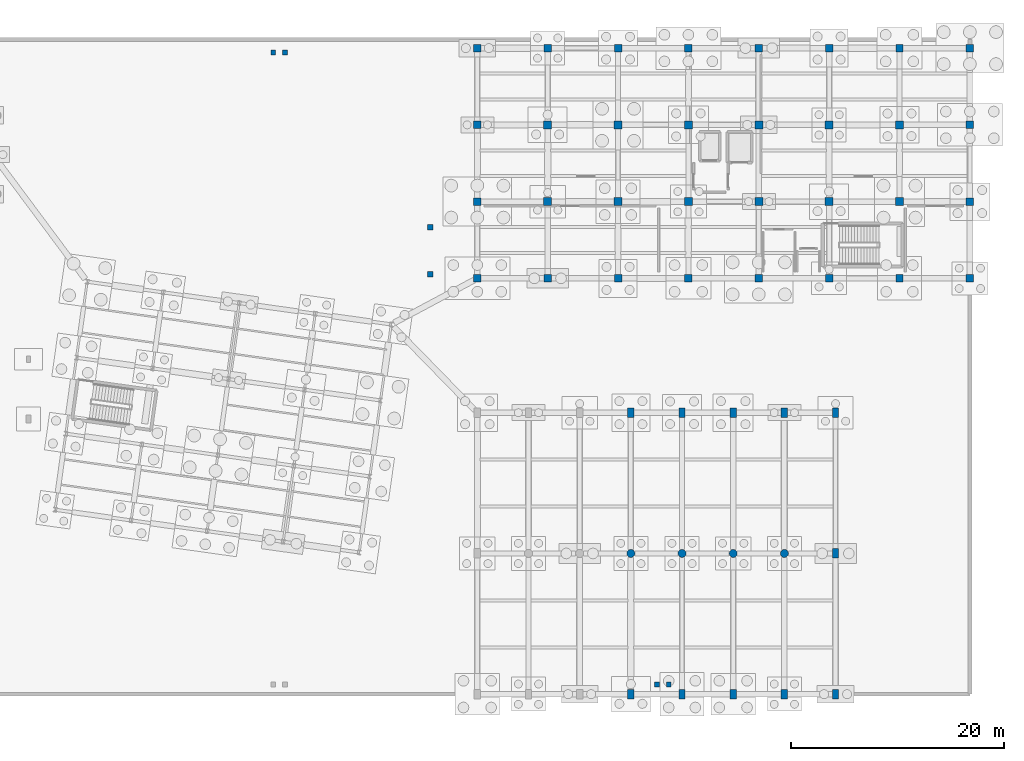
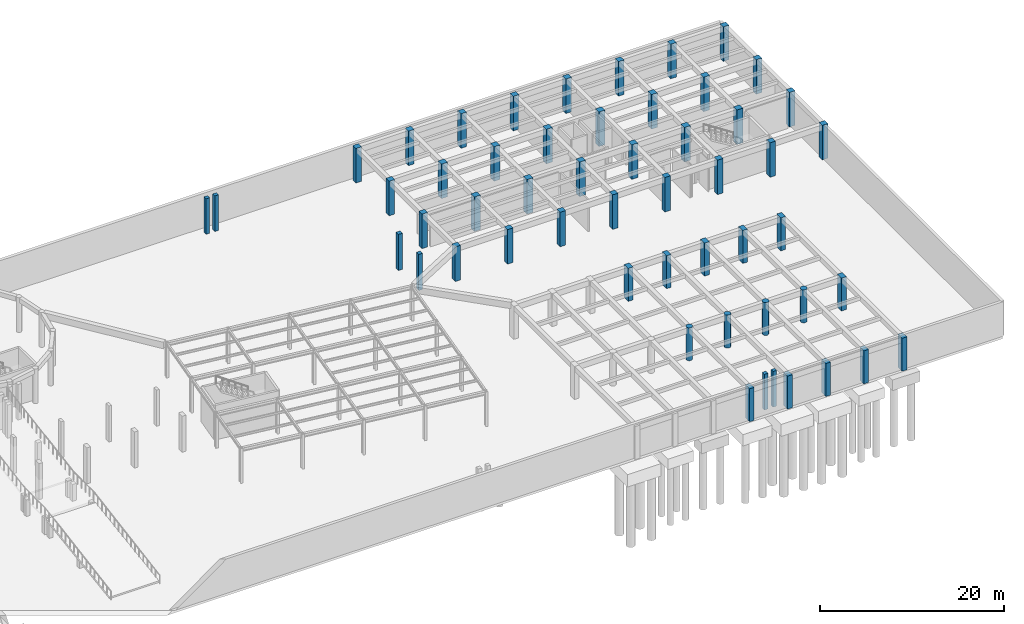
# One storey, part 16 of 34: 53 columns.
"""IFC4 building model written with IfcOpenShell, lengths in metres."""

from ifc_helpers import new_model, si_unit, direction, frame, origin, origin_2d, place, context, subcontext, project, spatial, rectangle, circle, extrude, material, material_profile, profile_set, type_object, element, save


model = new_model("IFC4")

# Units and contexts
model_context = context("Model", 3, precision=1e-05, world=origin(), true_north=direction((0.0, 1.0)))
body_context = subcontext(model_context, "Body", "Model", "MODEL_VIEW")
ifc_project = project(units=[si_unit("LENGTHUNIT", "METRE"), si_unit("AREAUNIT", "SQUARE_METRE"), si_unit("VOLUMEUNIT", "CUBIC_METRE"), si_unit("PLANEANGLEUNIT", "RADIAN"), si_unit("MASSUNIT", "GRAM", prefix="KILO")], contexts=[model_context])

# Site, building, storey
site_placement = place(None, origin())
site = spatial("IfcSite", under=ifc_project, at=site_placement, CompositionType="ELEMENT")
building_placement = place(site_placement, origin())
building = spatial("IfcBuilding", under=site, at=building_placement, Name="Kharisveld Research Institute", CompositionType="ELEMENT")
storey_placement = place(building_placement, frame((0.0, 0.0, -4.800048828125)))
storey = spatial("IfcBuildingStorey", under=building, at=storey_placement, Name="B1", CompositionType="ELEMENT", Elevation=-4.800048828125)

# Columns
ifc_material_1 = material(Name="Concrete C40/50", Category="concrete")
ifc_material_profile_1 = material_profile(ifc_material_1, rectangle(XDim=0.449951171875, YDim=0.449951171875, at=origin_2d()))
ifc_profile_set_1 = profile_set([ifc_material_profile_1], Name="Concrete C40/50")
column_type_1 = type_object("IfcColumnType", Name="COL_RC_450", PredefinedType="COLUMN", material=ifc_profile_set_1)
for number, where, z_axis, x_axis, name in (
    (1, (95.449951171875, 60.39990234375, 0.0), (0.0, 0.0, 1.0), (1.0, 0.0, 0.0), "COL:B1:PEDRMP_N1_L"),
    (2, (96.550048828125, 60.39990234375, 0.0), (0.0, 0.0, 1.0), (1.0, 0.0, 0.0), "COL:B1:PEDRMP_N1_R"),
    (3, (131.449951171875, 1.10009765625, 0.0), (0.0, 0.0, 1.0), (1.0, 0.0, 0.0), "COL:B1:PEDRMP_E1_L"),
    (4, (132.550048828125, 1.10009765625, 0.0), (0.0, 0.0, 1.0), (1.0, 0.0, 0.0), "COL:B1:PEDRMP_E1_R"),
):
    element("IfcColumn", number, at=place(storey_placement, frame(where, z_axis=z_axis, x_axis=x_axis)), inside=storey, type_object=column_type_1, Name=name, PredefinedType="COLUMN", context=body_context, shape_type="SweptSolid", body=[
        extrude(rectangle(XDim=0.449951171875, YDim=0.449951171875, at=origin_2d()), origin(), (0.0, 0.0, 1.0), 4.739990234375),
    ])
ifc_material_2 = material(Name="Concrete C40/50", Category="concrete")
ifc_material_profile_2 = material_profile(ifc_material_2, rectangle(XDim=0.5, YDim=0.5, at=origin_2d()))
ifc_profile_set_2 = profile_set([ifc_material_profile_2], Name="Concrete C40/50")
column_type_2 = type_object("IfcColumnType", Name="COL_RC_500", PredefinedType="COLUMN", material=ifc_profile_set_2)
for number, where, z_axis, x_axis, name in (
    (5, (110.199951171875, 39.60009765625, 0.0), (0.0, 0.0, 1.0), (1.0, 0.0, 0.0), "PIL:ARC_E:B1:1"),
    (6, (110.199951171875, 44.0, 0.0), (0.0, 0.0, 1.0), (1.0, 0.0, 0.0), "PIL:ARC_E:B1:2"),
):
    element("IfcColumn", number, at=place(storey_placement, frame(where, z_axis=z_axis, x_axis=x_axis)), inside=storey, type_object=column_type_2, Name=name, PredefinedType="COLUMN", context=body_context, shape_type="SweptSolid", body=[
        extrude(rectangle(XDim=0.5, YDim=0.5, at=origin_2d()), origin(), (0.0, 0.0, 1.0), 4.800048828125),
    ])
ifc_material_3 = material(Name="Concrete C40/50", Category="concrete")
ifc_material_profile_3 = material_profile(ifc_material_3, rectangle(XDim=0.60009765625, YDim=0.89990234375, at=origin_2d()))
ifc_profile_set_3 = profile_set([ifc_material_profile_3], Name="Concrete C40/50")
column_type_3 = type_object("IfcColumnType", Name="COL_RC_600x900", PredefinedType="COLUMN", material=ifc_profile_set_3)
for number, where, z_axis, x_axis, name in (
    (7, (129.0, 0.199951171875, 0.0), (0.0, 0.0, 1.0), (1.0, 0.0, 0.0), "COL:V5:B1:U3V0"),
    (8, (129.0, 26.60009765625, 0.0), (0.0, 0.0, 1.0), (1.0, 0.0, 0.0), "COL:V5:B1:U3V2"),
    (9, (133.800048828125, 0.199951171875, 0.0), (0.0, 0.0, 1.0), (1.0, 0.0, 0.0), "COL:V5:B1:U4V0"),
    (10, (133.800048828125, 26.60009765625, 0.0), (0.0, 0.0, 1.0), (1.0, 0.0, 0.0), "COL:V5:B1:U4V2"),
    (11, (138.60009765625, 0.199951171875, 0.0), (0.0, 0.0, 1.0), (1.0, 0.0, 0.0), "COL:V5:B1:U5V0"),
    (12, (138.60009765625, 26.60009765625, 0.0), (0.0, 0.0, 1.0), (1.0, 0.0, 0.0), "COL:V5:B1:U5V2"),
    (13, (143.39990234375, 0.199951171875, 0.0), (0.0, 0.0, 1.0), (1.0, 0.0, 0.0), "COL:V5:B1:U6V0"),
    (14, (143.39990234375, 26.60009765625, 0.0), (0.0, 0.0, 1.0), (1.0, 0.0, 0.0), "COL:V5:B1:U6V2"),
    (15, (148.199951171875, 0.199951171875, 0.0), (0.0, 0.0, 1.0), (1.0, 0.0, 0.0), "COL:V5:B1:U7V0"),
    (16, (148.199951171875, 13.39990234375, 0.0), (0.0, 0.0, 1.0), (1.0, 0.0, 0.0), "COL:V5:B1:U7V1"),
    (17, (148.199951171875, 26.60009765625, 0.0), (0.0, 0.0, 1.0), (1.0, 0.0, 0.0), "COL:V5:B1:U7V2"),
):
    element("IfcColumn", number, at=place(storey_placement, frame(where, z_axis=z_axis, x_axis=x_axis)), inside=storey, type_object=column_type_3, Name=name, PredefinedType="COLUMN", context=body_context, shape_type="SweptSolid", body=[
        extrude(rectangle(XDim=0.60009765625, YDim=0.89990234375, at=origin_2d()), origin(), (0.0, 0.0, 1.0), 4.380126953125),
    ])
ifc_material_4 = material(Name="Concrete C40/50", Category="concrete")
ifc_material_profile_4 = material_profile(ifc_material_4, rectangle(XDim=0.699951171875, YDim=0.699951171875, at=origin_2d()))
ifc_profile_set_4 = profile_set([ifc_material_profile_4], Name="Concrete C40/50")
column_type_4 = type_object("IfcColumnType", Name="COL_RC_700", PredefinedType="COLUMN", material=ifc_profile_set_4)
for number, where, z_axis, x_axis, name in (
    (18, (114.60009765625, 39.199951171875, 0.0), (0.0, 0.0, 1.0), (1.0, 0.0, 0.0), "COL:V2:B1:U0V0"),
    (19, (114.60009765625, 46.39990234375, 0.0), (0.0, 0.0, 1.0), (1.0, 0.0, 0.0), "COL:V2:B1:U0V1"),
    (20, (114.60009765625, 53.60009765625, 0.0), (0.0, 0.0, 1.0), (1.0, 0.0, 0.0), "COL:V2:B1:U0V2"),
    (21, (114.60009765625, 60.800048828125, 0.0), (0.0, 0.0, 1.0), (1.0, 0.0, 0.0), "COL:V2:B1:U0V3"),
    (22, (121.199951171875, 39.199951171875, 0.0), (0.0, 0.0, 1.0), (1.0, 0.0, 0.0), "COL:V2:B1:U1V0"),
    (23, (121.199951171875, 60.800048828125, 0.0), (0.0, 0.0, 1.0), (1.0, 0.0, 0.0), "COL:V2:B1:U1V3"),
    (24, (127.800048828125, 39.199951171875, 0.0), (0.0, 0.0, 1.0), (1.0, 0.0, 0.0), "COL:V2:B1:U2V0"),
    (25, (127.800048828125, 60.800048828125, 0.0), (0.0, 0.0, 1.0), (1.0, 0.0, 0.0), "COL:V2:B1:U2V3"),
    (26, (134.39990234375, 39.199951171875, 0.0), (0.0, 0.0, 1.0), (1.0, 0.0, 0.0), "COL:V2:B1:U3V0"),
    (27, (134.39990234375, 60.800048828125, 0.0), (0.0, 0.0, 1.0), (1.0, 0.0, 0.0), "COL:V2:B1:U3V3"),
    (28, (141.0, 39.199951171875, 0.0), (0.0, 0.0, 1.0), (1.0, 0.0, 0.0), "COL:V2:B1:U4V0"),
    (29, (141.0, 60.800048828125, 0.0), (0.0, 0.0, 1.0), (1.0, 0.0, 0.0), "COL:V2:B1:U4V3"),
    (30, (147.60009765625, 39.199951171875, 0.0), (0.0, 0.0, 1.0), (1.0, 0.0, 0.0), "COL:V2:B1:U5V0"),
    (31, (147.60009765625, 60.800048828125, 0.0), (0.0, 0.0, 1.0), (1.0, 0.0, 0.0), "COL:V2:B1:U5V3"),
    (32, (154.199951171875, 39.199951171875, 0.0), (0.0, 0.0, 1.0), (1.0, 0.0, 0.0), "COL:V2:B1:U6V0"),
    (33, (154.199951171875, 60.800048828125, 0.0), (0.0, 0.0, 1.0), (1.0, 0.0, 0.0), "COL:V2:B1:U6V3"),
    (34, (160.800048828125, 39.199951171875, 0.0), (0.0, 0.0, 1.0), (1.0, 0.0, 0.0), "COL:V2:B1:U7V0"),
    (35, (160.800048828125, 46.39990234375, 0.0), (0.0, 0.0, 1.0), (1.0, 0.0, 0.0), "COL:V2:B1:U7V1"),
    (36, (160.800048828125, 53.60009765625, 0.0), (0.0, 0.0, 1.0), (1.0, 0.0, 0.0), "COL:V2:B1:U7V2"),
    (37, (160.800048828125, 60.800048828125, 0.0), (0.0, 0.0, 1.0), (1.0, 0.0, 0.0), "COL:V2:B1:U7V3"),
):
    element("IfcColumn", number, at=place(storey_placement, frame(where, z_axis=z_axis, x_axis=x_axis)), inside=storey, type_object=column_type_4, Name=name, PredefinedType="COLUMN", context=body_context, shape_type="SweptSolid", body=[
        extrude(rectangle(XDim=0.699951171875, YDim=0.699951171875, at=origin_2d()), origin(), (0.0, 0.0, 1.0), 4.590087890625),
    ])
ifc_material_5 = material(Name="Concrete C50/60", Category="concrete")
ifc_material_profile_5 = material_profile(ifc_material_5, rectangle(XDim=0.75, YDim=0.75, at=origin_2d()))
ifc_profile_set_5 = profile_set([ifc_material_profile_5], Name="Concrete C50/60")
column_type_5 = type_object("IfcColumnType", Name="COL_RC_750", PredefinedType="COLUMN", material=ifc_profile_set_5)
for number, where, z_axis, x_axis, name in (
    (38, (121.199951171875, 46.39990234375, 0.0), (0.0, 0.0, 1.0), (1.0, 0.0, 0.0), "COL:V2:B1:U1V1"),
    (39, (121.199951171875, 53.60009765625, 0.0), (0.0, 0.0, 1.0), (1.0, 0.0, 0.0), "COL:V2:B1:U1V2"),
    (40, (127.800048828125, 46.39990234375, 0.0), (0.0, 0.0, 1.0), (1.0, 0.0, 0.0), "COL:V2:B1:U2V1"),
    (41, (127.800048828125, 53.60009765625, 0.0), (0.0, 0.0, 1.0), (1.0, 0.0, 0.0), "COL:V2:B1:U2V2"),
    (42, (134.39990234375, 46.39990234375, 0.0), (0.0, 0.0, 1.0), (1.0, 0.0, 0.0), "COL:V2:B1:U3V1"),
    (43, (134.39990234375, 53.60009765625, 0.0), (0.0, 0.0, 1.0), (1.0, 0.0, 0.0), "COL:V2:B1:U3V2"),
    (44, (141.0, 46.39990234375, 0.0), (0.0, 0.0, 1.0), (1.0, 0.0, 0.0), "COL:V2:B1:U4V1"),
    (45, (141.0, 53.60009765625, 0.0), (0.0, 0.0, 1.0), (1.0, 0.0, 0.0), "COL:V2:B1:U4V2"),
    (46, (147.60009765625, 46.39990234375, 0.0), (0.0, 0.0, 1.0), (1.0, 0.0, 0.0), "COL:V2:B1:U5V1"),
    (47, (147.60009765625, 53.60009765625, 0.0), (0.0, 0.0, 1.0), (1.0, 0.0, 0.0), "COL:V2:B1:U5V2"),
    (48, (154.199951171875, 46.39990234375, 0.0), (0.0, 0.0, 1.0), (1.0, 0.0, 0.0), "COL:V2:B1:U6V1"),
    (49, (154.199951171875, 53.60009765625, 0.0), (0.0, 0.0, 1.0), (1.0, 0.0, 0.0), "COL:V2:B1:U6V2"),
):
    element("IfcColumn", number, at=place(storey_placement, frame(where, z_axis=z_axis, x_axis=x_axis)), inside=storey, type_object=column_type_5, Name=name, PredefinedType="COLUMN", context=body_context, shape_type="SweptSolid", body=[
        extrude(rectangle(XDim=0.75, YDim=0.75, at=origin_2d()), origin(), (0.0, 0.0, 1.0), 4.590087890625),
    ])
ifc_material_6 = material(Name="Concrete C40/50", Category="concrete")
ifc_material_profile_6 = material_profile(ifc_material_6, circle(Radius=0.375, at=origin_2d()))
ifc_profile_set_6 = profile_set([ifc_material_profile_6], Name="Concrete C40/50")
column_type_6 = type_object("IfcColumnType", Name="COL_RC_D750", PredefinedType="COLUMN", material=ifc_profile_set_6)
for number, where, z_axis, x_axis, name in (
    (50, (129.0, 13.39990234375, 0.0), (0.0, 0.0, 1.0), (1.0, 0.0, 0.0), "COL:V5:B1:U3V1"),
    (51, (133.800048828125, 13.39990234375, 0.0), (0.0, 0.0, 1.0), (1.0, 0.0, 0.0), "COL:V5:B1:U4V1"),
    (52, (138.60009765625, 13.39990234375, 0.0), (0.0, 0.0, 1.0), (1.0, 0.0, 0.0), "COL:V5:B1:U5V1"),
    (53, (143.39990234375, 13.39990234375, 0.0), (0.0, 0.0, 1.0), (1.0, 0.0, 0.0), "COL:V5:B1:U6V1"),
):
    element("IfcColumn", number, at=place(storey_placement, frame(where, z_axis=z_axis, x_axis=x_axis)), inside=storey, type_object=column_type_6, Name=name, PredefinedType="COLUMN", context=body_context, shape_type="SweptSolid", body=[
        extrude(circle(Radius=0.375, at=origin_2d()), origin(), (0.0, 0.0, 1.0), 4.380126953125),
    ])

save(model, "model.ifc")
